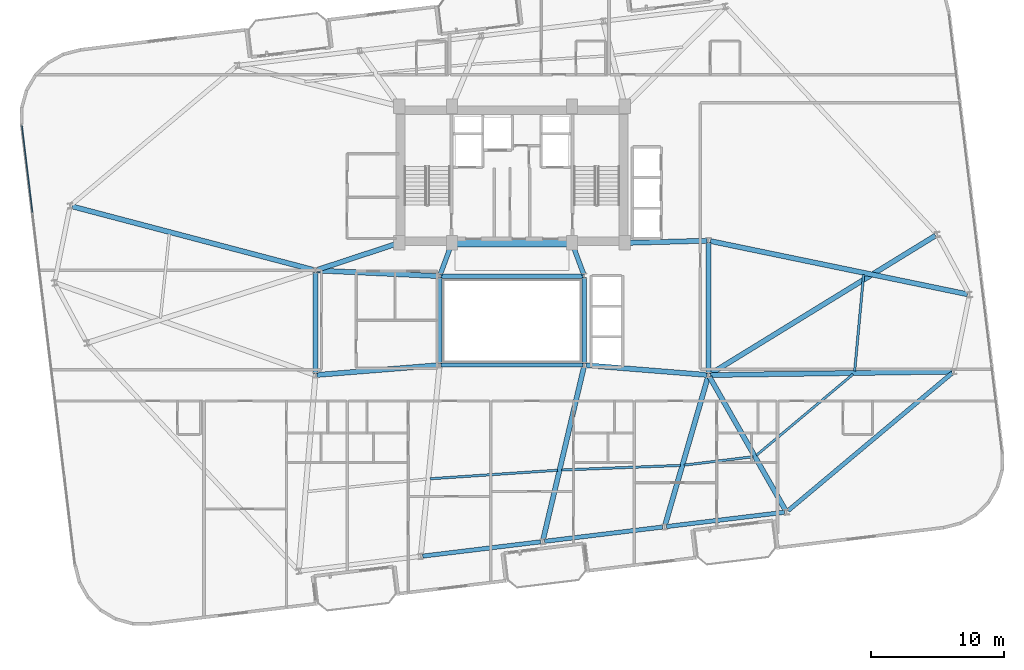
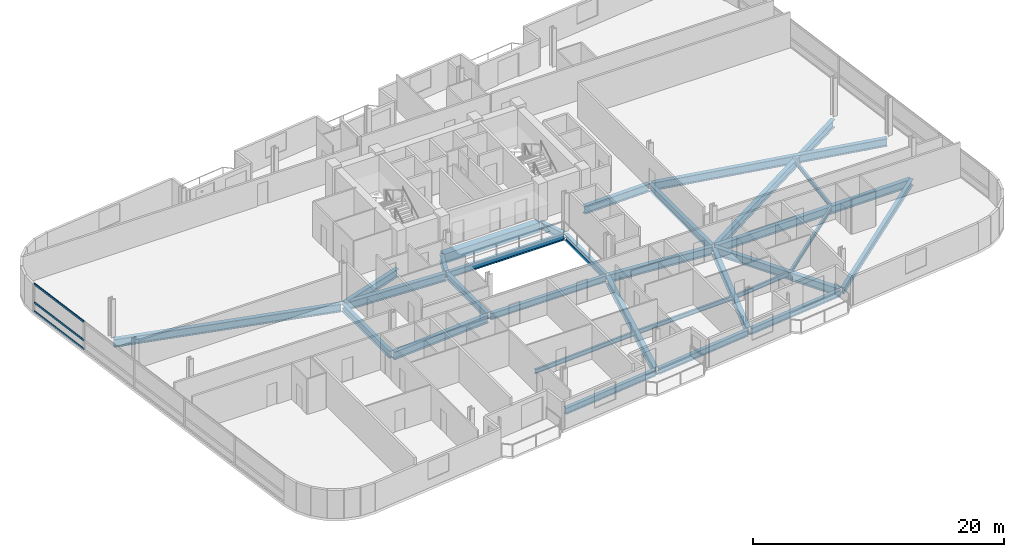
# One storey, part 7 of 23: 30 beams, 3 members, 1 element without a shape of its own.
"""IFC4 building model written with IfcOpenShell, lengths in metres."""

from ifc_helpers import new_model, si_unit, direction, frame, origin, origin_2d, place, context, subcontext, project, spatial, rectangle, hollow_rectangle, i_section, extrude, material, layer, layer_set, material_profile, profile_set, type_object, element, aggregate, save


model = new_model("IFC4")

# Units and contexts
model_context = context("Model", 3, precision=1e-05, world=origin(), true_north=direction((0.0, 1.0)))
body_context = subcontext(model_context, "Body", "Model", "MODEL_VIEW")
ifc_project = project(units=[si_unit("LENGTHUNIT", "METRE"), si_unit("AREAUNIT", "SQUARE_METRE"), si_unit("VOLUMEUNIT", "CUBIC_METRE"), si_unit("PLANEANGLEUNIT", "RADIAN"), si_unit("MASSUNIT", "GRAM", prefix="KILO")], contexts=[model_context])

# Site, building, storey
site_placement = place(None, origin())
site = spatial("IfcSite", under=ifc_project, at=site_placement, CompositionType="ELEMENT")
building_placement = place(site_placement, origin())
building = spatial("IfcBuilding", under=site, at=building_placement, Name="Varnelok Gate Tower", CompositionType="ELEMENT")
storey_placement = place(building_placement, frame((0.0, 0.0, 174.60009765625)))
storey = spatial("IfcBuildingStorey", under=building, at=storey_placement, Name="L44", CompositionType="ELEMENT", Elevation=174.60009765625)

# Beams
ifc_material_1 = material(Name="Structural Steel ASTM A992 Grade 50", Category="steel")
ifc_material_profile_1 = material_profile(ifc_material_1, i_section(OverallWidth=0.180908203125, OverallDepth=0.4169921875, WebThickness=0.010986328125, FlangeThickness=0.018310546875, FilletRadius=0.013916015625, at=origin_2d()), Name="W16X57")
ifc_profile_set_1 = profile_set([ifc_material_profile_1], Name="Structural Steel ASTM A992 Grade 50")
beam_type_1 = type_object("IfcBeamType", Name="BM-JST-W16X57", PredefinedType="JOIST", material=ifc_profile_set_1)
beam_1_placement = place(storey_placement, frame((33.0419921875, 10.989013671875, -0.45849609375), z_axis=(0.997758352588, 0.066919876282, 0.0), x_axis=(-0.066919876282, 0.997758352588, 0.0)))
element("IfcBeam", 1, at=beam_1_placement, inside=storey, type_object=beam_type_1, Name="L44 Sector Floor Joist 2", PredefinedType="JOIST", context=body_context, shape_type="SweptSolid", body=[
    extrude(i_section(OverallWidth=0.180908203125, OverallDepth=0.4169921875, WebThickness=0.010986328125, FlangeThickness=0.018310546875, FilletRadius=0.013916015625, at=origin_2d()), origin(), (0.0, 0.0, 1.0), 9.620361328125),
])
beam_2_placement = place(storey_placement, frame((42.92041015625, 11.6474609375, -0.45849609375), z_axis=(0.999248872436, 0.038751657184, 0.0), x_axis=(-0.038751657184, 0.999248872436, 0.0)))
element("IfcBeam", 2, at=beam_2_placement, inside=storey, type_object=beam_type_1, Name="L44 Sector Floor Joist 3", PredefinedType="JOIST", context=body_context, shape_type="SweptSolid", body=[
    extrude(i_section(OverallWidth=0.180908203125, OverallDepth=0.4169921875, WebThickness=0.010986328125, FlangeThickness=0.018310546875, FilletRadius=0.013916015625, at=origin_2d()), origin(), (0.0, 0.0, 1.0), 8.977783203125),
])
beam_3_placement = place(storey_placement, frame((52.170166015625, 12.017578125, -0.45849609375), z_axis=(0.99273192091, 0.120346720792, 0.0), x_axis=(-0.120346720792, 0.99273192091, 0.0)))
element("IfcBeam", 3, at=beam_3_placement, inside=storey, type_object=beam_type_1, Name="L44 Sector Floor Joist 4", PredefinedType="JOIST", context=body_context, shape_type="SweptSolid", body=[
    extrude(i_section(OverallWidth=0.180908203125, OverallDepth=0.4169921875, WebThickness=0.010986328125, FlangeThickness=0.018310546875, FilletRadius=0.013916015625, at=origin_2d()), origin(), (0.0, 0.0, 1.0), 5.223876953125),
])
beam_4_placement = place(storey_placement, frame((57.602294921875, 12.7529296875, -0.45849609375), z_axis=(0.766087132605, 0.642736730908, 0.0), x_axis=(-0.642736730908, 0.766087132605, 0.0)))
element("IfcBeam", 4, at=beam_4_placement, inside=storey, type_object=beam_type_1, Name="L44 Sector Floor Joist 5", PredefinedType="JOIST", context=body_context, shape_type="SweptSolid", body=[
    extrude(i_section(OverallWidth=0.180908203125, OverallDepth=0.4169921875, WebThickness=0.010986328125, FlangeThickness=0.018310546875, FilletRadius=0.013916015625, at=origin_2d()), origin(), (0.0, 0.0, 1.0), 9.50830078125),
])
beam_5_placement = place(storey_placement, frame((65.006591796875, 19.09375, -0.45849609375), z_axis=(0.092459859055, 0.995716412672, 0.0), x_axis=(-0.995716412672, 0.092459859055, 0.0)))
element("IfcBeam", 5, at=beam_5_placement, inside=storey, type_object=beam_type_1, Name="L44 Sector Floor Joist 6", PredefinedType="JOIST", context=body_context, shape_type="SweptSolid", body=[
    extrude(i_section(OverallWidth=0.180908203125, OverallDepth=0.4169921875, WebThickness=0.010986328125, FlangeThickness=0.018310546875, FilletRadius=0.013916015625, at=origin_2d()), origin(), (0.0, 0.0, 1.0), 7.29833984375),
])
ifc_material_2 = material(Name="Concrete C60/75", Category="concrete")
ifc_material_profile_2 = material_profile(ifc_material_2, rectangle(XDim=0.60009765625, YDim=0.949951171875, at=origin_2d()), Name="RC950X600")
ifc_profile_set_2 = profile_set([ifc_material_profile_2], Name="Concrete C60/75")
beam_type_2 = type_object("IfcBeamType", Name="BM-LNT-RC950", PredefinedType="LINTEL", material=ifc_profile_set_2)
beam_6_placement = place(storey_placement, frame((34.800048828125, 28.75, -0.72509765625), z_axis=(1.0, 0.0, 0.0), x_axis=(0.0, 1.0, 0.0)))
element("IfcBeam", 6, at=beam_6_placement, inside=storey, type_object=beam_type_2, Name="L44 Core-Atrium Spine Beam 7", PredefinedType="LINTEL", context=body_context, shape_type="SweptSolid", body=[
    extrude(rectangle(XDim=0.60009765625, YDim=0.949951171875, at=origin_2d()), origin(), (0.0, 0.0, 1.0), 8.800048828125),
])
ifc_material_profile_3 = material_profile(ifc_material_1, i_section(OverallWidth=0.35498046875, OverallDepth=0.696044921875, WebThickness=0.015380859375, FlangeThickness=0.02490234375, FilletRadius=0.02001953125, at=origin_2d()), Name="W27X146")
ifc_profile_set_3 = profile_set([ifc_material_profile_3], Name="Structural Steel ASTM A992 Grade 50")
beam_type_3 = type_object("IfcBeamType", Name="BM-PRI-W27X146", PredefinedType="BEAM", material=ifc_profile_set_3)
for number, where, z_axis, x_axis, name in (
    (7, (33.791748046875, 26.362548828125, -0.59814453125), (0.348719329408, 0.937227202602, 0.0), (-0.937227202602, 0.348719329408, 0.0), "L44 Core-Atrium Spine Beam 12"),
    (8, (44.608154296875, 26.362548828125, -0.59814453125), (-0.348719329408, 0.937227202602, 0.0), (-0.937227202602, -0.348719329408, 0.0), "L44 Core-Atrium Spine Beam 13"),
):
    element("IfcBeam", number, at=place(storey_placement, frame(where, z_axis=z_axis, x_axis=x_axis)), inside=storey, type_object=beam_type_3, Name=name, PredefinedType="BEAM", context=body_context, shape_type="SweptSolid", body=[
        extrude(i_section(OverallWidth=0.35498046875, OverallDepth=0.696044921875, WebThickness=0.015380859375, FlangeThickness=0.02490234375, FilletRadius=0.02001953125, at=origin_2d()), origin(), (0.0, 0.0, 1.0), 2.42724609375),
    ])
beam_7_placement = place(storey_placement, frame((24.39990234375, 18.919921875, -0.59814453125), z_axis=(0.0, 1.0, 0.0), x_axis=(-1.0, 0.0, 0.0)))
element("IfcBeam", 9, at=beam_7_placement, inside=storey, type_object=beam_type_3, Name="L44 Core-Atrium Spine Beam 16", PredefinedType="BEAM", context=body_context, shape_type="SweptSolid", body=[
    extrude(i_section(OverallWidth=0.35498046875, OverallDepth=0.696044921875, WebThickness=0.015380859375, FlangeThickness=0.02490234375, FilletRadius=0.02001953125, at=origin_2d()), origin(), (0.0, 0.0, 1.0), 7.64013671875),
])
beam_8_placement = place(storey_placement, frame((54.0, 18.919921875, -0.59814453125), z_axis=(0.0, 1.0, 0.0), x_axis=(-1.0, 0.0, 0.0)))
element("IfcBeam", 10, at=beam_8_placement, inside=storey, type_object=beam_type_3, Name="L44 Core-Atrium Spine Beam 20", PredefinedType="BEAM", context=body_context, shape_type="SweptSolid", body=[
    extrude(i_section(OverallWidth=0.35498046875, OverallDepth=0.696044921875, WebThickness=0.015380859375, FlangeThickness=0.02490234375, FilletRadius=0.02001953125, at=origin_2d()), origin(), (0.0, 0.0, 1.0), 9.880126953125),
])
ifc_material_profile_4 = material_profile(ifc_material_1, i_section(OverallWidth=0.381103515625, OverallDepth=0.77294921875, WebThickness=0.0166015625, FlangeThickness=0.027099609375, FilletRadius=0.02197265625, at=origin_2d()), Name="W30X173")
ifc_profile_set_4 = profile_set([ifc_material_profile_4], Name="Structural Steel ASTM A992 Grade 50")
beam_type_4 = type_object("IfcBeamType", Name="BM-PRI-W30X173", PredefinedType="BEAM", material=ifc_profile_set_4)
beam_9_placement = place(storey_placement, frame((24.51953125, 18.8095703125, -0.63671875), z_axis=(0.996799206292, 0.07994587128, 0.0), x_axis=(-0.07994587128, 0.996799206292, 0.0)))
element("IfcBeam", 11, at=beam_9_placement, inside=storey, type_object=beam_type_4, Name="L44 Core-Atrium Spine Beam 14", PredefinedType="BEAM", context=body_context, shape_type="SweptSolid", body=[
    extrude(i_section(OverallWidth=0.381103515625, OverallDepth=0.77294921875, WebThickness=0.0166015625, FlangeThickness=0.027099609375, FilletRadius=0.02197265625, at=origin_2d()), origin(), (0.0, 0.0, 1.0), 9.14013671875),
])
beam_10_placement = place(storey_placement, frame((24.52001953125, 26.674560546875, -0.63671875), z_axis=(0.99894427814, -0.045938319209, 0.0), x_axis=(0.045938319209, 0.99894427814, 0.0)))
element("IfcBeam", 12, at=beam_10_placement, inside=storey, type_object=beam_type_4, Name="L44 Core-Atrium Spine Beam 15", PredefinedType="BEAM", context=body_context, shape_type="SweptSolid", body=[
    extrude(i_section(OverallWidth=0.381103515625, OverallDepth=0.77294921875, WebThickness=0.0166015625, FlangeThickness=0.027099609375, FilletRadius=0.02197265625, at=origin_2d()), origin(), (0.0, 0.0, 1.0), 9.11962890625),
])
beam_11_placement = place(storey_placement, frame((24.513916015625, 26.717529296875, -0.63671875), z_axis=(0.950041943788, 0.312122259768, 0.0), x_axis=(-0.312122259768, 0.950041943788, 0.0)))
element("IfcBeam", 13, at=beam_11_placement, inside=storey, type_object=beam_type_4, Name="L44 Core-Atrium Spine Beam 17", PredefinedType="BEAM", context=body_context, shape_type="SweptSolid", body=[
    extrude(i_section(OverallWidth=0.381103515625, OverallDepth=0.77294921875, WebThickness=0.0166015625, FlangeThickness=0.027099609375, FilletRadius=0.02197265625, at=origin_2d()), origin(), (0.0, 0.0, 1.0), 6.391357421875),
])
beam_12_placement = place(storey_placement, frame((44.76953125, 19.540283203125, -0.63671875), z_axis=(0.996799206292, -0.07994587128, 0.0), x_axis=(0.07994587128, 0.996799206292, 0.0)))
element("IfcBeam", 14, at=beam_12_placement, inside=storey, type_object=beam_type_4, Name="L44 Core-Atrium Spine Beam 18", PredefinedType="BEAM", context=body_context, shape_type="SweptSolid", body=[
    extrude(i_section(OverallWidth=0.381103515625, OverallDepth=0.77294921875, WebThickness=0.0166015625, FlangeThickness=0.027099609375, FilletRadius=0.02197265625, at=origin_2d()), origin(), (0.0, 0.0, 1.0), 9.14013671875),
])
beam_13_placement = place(storey_placement, frame((47.820068359375, 28.753173828125, -0.63671875), z_axis=(0.999635880609, 0.026983443053, 0.0), x_axis=(-0.026983443053, 0.999635880609, 0.0)))
element("IfcBeam", 15, at=beam_13_placement, inside=storey, type_object=beam_type_4, Name="L44 Core-Atrium Spine Beam 19", PredefinedType="BEAM", context=body_context, shape_type="SweptSolid", body=[
    extrude(i_section(OverallWidth=0.381103515625, OverallDepth=0.77294921875, WebThickness=0.0166015625, FlangeThickness=0.027099609375, FilletRadius=0.02197265625, at=origin_2d()), origin(), (0.0, 0.0, 1.0), 6.06201171875),
])
beam_14_placement = place(storey_placement, frame((44.615478515625, 19.404052734375, -0.63671875), z_axis=(-0.230051892852, -0.973178363197, 0.0), x_axis=(0.973178363197, -0.230051892852, 0.0)))
element("IfcBeam", 16, at=beam_14_placement, inside=storey, type_object=beam_type_4, Name="L44 Radial Floor Girder 3", PredefinedType="BEAM", context=body_context, shape_type="SweptSolid", body=[
    extrude(i_section(OverallWidth=0.381103515625, OverallDepth=0.77294921875, WebThickness=0.0166015625, FlangeThickness=0.027099609375, FilletRadius=0.02197265625, at=origin_2d()), origin(), (0.0, 0.0, 1.0), 13.356689453125),
])
beam_15_placement = place(storey_placement, frame((53.958251953125, 18.656005859375, -0.63671875), z_axis=(-0.278139351158, -0.960540733825, 0.0), x_axis=(0.960540733825, -0.278139351158, 0.0)))
element("IfcBeam", 17, at=beam_15_placement, inside=storey, type_object=beam_type_4, Name="L44 Radial Floor Girder 4", PredefinedType="BEAM", context=body_context, shape_type="SweptSolid", body=[
    extrude(i_section(OverallWidth=0.381103515625, OverallDepth=0.77294921875, WebThickness=0.0166015625, FlangeThickness=0.027099609375, FilletRadius=0.02197265625, at=origin_2d()), origin(), (0.0, 0.0, 1.0), 11.596923828125),
])
beam_16_placement = place(storey_placement, frame((54.07421875, 18.669677734375, -0.63671875), z_axis=(0.494868053933, -0.868968128988, 0.0), x_axis=(0.868968128988, 0.494868053933, 0.0)))
element("IfcBeam", 18, at=beam_16_placement, inside=storey, type_object=beam_type_4, Name="L44 Radial Floor Girder 5", PredefinedType="BEAM", context=body_context, shape_type="SweptSolid", body=[
    extrude(i_section(OverallWidth=0.381103515625, OverallDepth=0.77294921875, WebThickness=0.0166015625, FlangeThickness=0.027099609375, FilletRadius=0.02197265625, at=origin_2d()), origin(), (0.0, 0.0, 1.0), 11.5693359375),
])
beam_17_placement = place(storey_placement, frame((54.14990234375, 18.802001953125, -0.63671875), z_axis=(0.999901514109, 0.014034318056, 0.0), x_axis=(-0.014034318056, 0.999901514109, 0.0)))
element("IfcBeam", 19, at=beam_17_placement, inside=storey, type_object=beam_type_4, Name="L44 Radial Floor Girder 6", PredefinedType="BEAM", context=body_context, shape_type="SweptSolid", body=[
    extrude(i_section(OverallWidth=0.381103515625, OverallDepth=0.77294921875, WebThickness=0.0166015625, FlangeThickness=0.027099609375, FilletRadius=0.02197265625, at=origin_2d()), origin(), (0.0, 0.0, 1.0), 18.1787109375),
])
beam_18_placement = place(storey_placement, frame((54.14697265625, 28.8896484375, -0.63671875), z_axis=(0.979255265667, -0.202630512665, 0.0), x_axis=(0.202630512665, 0.979255265667, 0.0)))
element("IfcBeam", 20, at=beam_18_placement, inside=storey, type_object=beam_type_4, Name="L44 Radial Floor Girder 7", PredefinedType="BEAM", context=body_context, shape_type="SweptSolid", body=[
    extrude(i_section(OverallWidth=0.381103515625, OverallDepth=0.77294921875, WebThickness=0.0166015625, FlangeThickness=0.027099609375, FilletRadius=0.02197265625, at=origin_2d()), origin(), (0.0, 0.0, 1.0), 19.7705078125),
])
beam_19_placement = place(storey_placement, frame((54.127685546875, 18.87841796875, -0.63671875), z_axis=(0.852014595228, 0.523518031703, 0.0), x_axis=(-0.523518031703, 0.852014595228, 0.0)))
element("IfcBeam", 21, at=beam_19_placement, inside=storey, type_object=beam_type_4, Name="L44 Radial Floor Girder 8", PredefinedType="BEAM", context=body_context, shape_type="SweptSolid", body=[
    extrude(i_section(OverallWidth=0.381103515625, OverallDepth=0.77294921875, WebThickness=0.0166015625, FlangeThickness=0.027099609375, FilletRadius=0.02197265625, at=origin_2d()), origin(), (0.0, 0.0, 1.0), 19.917236328125),
])
beam_20_placement = place(storey_placement, frame((24.2548828125, 26.71826171875, -0.63671875), z_axis=(-0.967098244451, 0.254403194908, 0.0), x_axis=(-0.254403194908, -0.967098244451, 0.0)))
element("IfcBeam", 22, at=beam_20_placement, inside=storey, type_object=beam_type_4, Name="L44 Radial Floor Girder 14", PredefinedType="BEAM", context=body_context, shape_type="SweptSolid", body=[
    extrude(i_section(OverallWidth=0.381103515625, OverallDepth=0.77294921875, WebThickness=0.0166015625, FlangeThickness=0.027099609375, FilletRadius=0.02197265625, at=origin_2d()), origin(), (0.0, 0.0, 1.0), 18.805419921875),
])
ifc_material_profile_5 = material_profile(ifc_material_1, i_section(OverallWidth=0.323974609375, OverallDepth=0.611083984375, WebThickness=0.0126953125, FlangeThickness=0.01904296875, FilletRadius=0.01806640625, at=origin_2d()), Name="W24X104")
ifc_profile_set_5 = profile_set([ifc_material_profile_5], Name="Structural Steel ASTM A992 Grade 50")
beam_type_5 = type_object("IfcBeamType", Name="BM-SPN-W24X104", PredefinedType="SPANDREL", material=ifc_profile_set_5)
for number, where, z_axis, x_axis, name in (
    (23, (33.8701171875, 19.550048828125, -0.5556640625), (1.0, 0.0, 0.0), (0.0, 1.0, 0.0), "L44 Core-Atrium Spine Beam 8"),
    (24, (33.8701171875, 26.25, -0.5556640625), (1.0, 0.0, 0.0), (0.0, 1.0, 0.0), "L44 Core-Atrium Spine Beam 9"),
):
    element("IfcBeam", number, at=place(storey_placement, frame(where, z_axis=z_axis, x_axis=x_axis)), inside=storey, type_object=beam_type_5, Name=name, PredefinedType="SPANDREL", context=body_context, shape_type="SweptSolid", body=[
        extrude(i_section(OverallWidth=0.323974609375, OverallDepth=0.611083984375, WebThickness=0.0126953125, FlangeThickness=0.01904296875, FilletRadius=0.01806640625, at=origin_2d()), origin(), (0.0, 0.0, 1.0), 10.659912109375),
    ])
for number, where, z_axis, x_axis, name in (
    (25, (33.75, 19.669921875, -0.5556640625), (0.0, 1.0, 0.0), (-1.0, 0.0, 0.0), "L44 Core-Atrium Spine Beam 10"),
    (26, (44.64990234375, 19.669921875, -0.5556640625), (0.0, 1.0, 0.0), (-1.0, 0.0, 0.0), "L44 Core-Atrium Spine Beam 11"),
):
    element("IfcBeam", number, at=place(storey_placement, frame(where, z_axis=z_axis, x_axis=x_axis)), inside=storey, type_object=beam_type_5, Name=name, PredefinedType="SPANDREL", context=body_context, shape_type="SweptSolid", body=[
        extrude(i_section(OverallWidth=0.323974609375, OverallDepth=0.611083984375, WebThickness=0.0126953125, FlangeThickness=0.01904296875, FilletRadius=0.01806640625, at=origin_2d()), origin(), (0.0, 0.0, 1.0), 6.4599609375),
    ])
for number, where, z_axis, x_axis, name in (
    (27, (32.474365234375, 5.164306640625, -0.5556640625), (0.992734670707, 0.120324035735, 0.0), (-0.120324035735, 0.992734670707, 0.0), "L44 Perimeter Spandrel Beam 2"),
    (28, (41.656982421875, 6.277587890625, -0.5556640625), (0.992734670707, 0.120324035735, 0.0), (-0.120324035735, 0.992734670707, 0.0), "L44 Perimeter Spandrel Beam 3"),
    (29, (50.83984375, 7.390625, -0.5556640625), (0.99273141198, 0.120350918849, 0.0), (-0.120350918849, 0.99273141198, 0.0), "L44 Perimeter Spandrel Beam 4"),
):
    element("IfcBeam", number, at=place(storey_placement, frame(where, z_axis=z_axis, x_axis=x_axis)), inside=storey, type_object=beam_type_5, Name=name, PredefinedType="SPANDREL", context=body_context, shape_type="SweptSolid", body=[
        extrude(i_section(OverallWidth=0.323974609375, OverallDepth=0.611083984375, WebThickness=0.0126953125, FlangeThickness=0.01904296875, FilletRadius=0.01806640625, at=origin_2d()), origin(), (0.0, 0.0, 1.0), 8.949951171875),
    ])
beam_21_placement = place(storey_placement, frame((59.98876953125, 8.582275390625, -0.5556640625), z_axis=(0.766099582792, 0.642721891059, 0.0), x_axis=(-0.642721891059, 0.766099582792, 0.0)))
element("IfcBeam", 30, at=beam_21_placement, inside=storey, type_object=beam_type_5, Name="L44 Perimeter Spandrel Beam 5", PredefinedType="SPANDREL", context=body_context, shape_type="SweptSolid", body=[
    extrude(i_section(OverallWidth=0.323974609375, OverallDepth=0.611083984375, WebThickness=0.0126953125, FlangeThickness=0.01904296875, FilletRadius=0.01806640625, at=origin_2d()), origin(), (0.0, 0.0, 1.0), 16.151123046875),
])

# Curtain wall, members
ifc_material_3 = material(Name="Anodized Aluminum Alloy 6063-T6", Category="aluminium")
ifc_layer = layer(ifc_material_3, 0.179931640625)
ifc_layer_set = layer_set([ifc_layer], Name="Anodized Aluminum Alloy 6063-T6")
curtain_wall_type = type_object("IfcCurtainWallType", Name="CW4-RESIDENCE-VISION", PredefinedType="USERDEFINED", material=ifc_layer_set)
curtain_wall_placement = place(storey_placement, origin())
curtain_wall = element("IfcCurtainWall", 31, at=curtain_wall_placement, inside=storey, type_object=curtain_wall_type, Name="L44 West End Vision Curtain Wall", ObjectType="UNITISED CURTAIN WALL", PredefinedType="USERDEFINED")
ifc_material_profile_6 = material_profile(ifc_material_3, hollow_rectangle(XDim=0.074951171875, YDim=0.199951171875, WallThickness=0.00390625, at=origin_2d()), Name="ALU200X75X4")
ifc_profile_set_6 = profile_set([ifc_material_profile_6], Name="Anodized Aluminum Alloy 6063-T6")
member_type = type_object("IfcMemberType", Name="CW-TRAN-200", PredefinedType="USERDEFINED", material=ifc_profile_set_6)
member_1_placement = place(storey_placement, frame((3.085205078125, 31.052978515625, 0.037353515625), z_axis=(-0.120332477695, 0.992733647466, 0.0), x_axis=(-0.992733647466, -0.120332477695, 0.0)))
member_1 = element("IfcMember", 32, at=member_1_placement, type_object=member_type, Name="CW4 transom 5.1", ObjectType="TRANSOM", PredefinedType="USERDEFINED", context=body_context, shape_type="SweptSolid", body=[
    extrude(hollow_rectangle(XDim=0.074951171875, YDim=0.199951171875, WallThickness=0.00390625, at=origin_2d()), origin(), (0.0, 0.0, 1.0), 6.5673828125),
])
member_2_placement = place(storey_placement, frame((3.085205078125, 31.052978515625, 0.89990234375), z_axis=(-0.120332477695, 0.992733647466, 0.0), x_axis=(-0.992733647466, -0.120332477695, 0.0)))
member_2 = element("IfcMember", 33, at=member_2_placement, type_object=member_type, Name="CW4 transom 5.2", ObjectType="TRANSOM", PredefinedType="USERDEFINED", context=body_context, shape_type="SweptSolid", body=[
    extrude(hollow_rectangle(XDim=0.074951171875, YDim=0.199951171875, WallThickness=0.00390625, at=origin_2d()), origin(), (0.0, 0.0, 1.0), 6.5673828125),
])
member_3_placement = place(storey_placement, frame((3.085205078125, 31.052978515625, 2.6923828125), z_axis=(-0.120332477695, 0.992733647466, 0.0), x_axis=(-0.992733647466, -0.120332477695, 0.0)))
member_3 = element("IfcMember", 34, at=member_3_placement, type_object=member_type, Name="CW4 transom 5.3", ObjectType="TRANSOM", PredefinedType="USERDEFINED", context=body_context, shape_type="SweptSolid", body=[
    extrude(hollow_rectangle(XDim=0.074951171875, YDim=0.199951171875, WallThickness=0.00390625, at=origin_2d()), origin(), (0.0, 0.0, 1.0), 6.5673828125),
])
aggregate(curtain_wall, [member_1, member_2, member_3])

save(model, "model.ifc")
